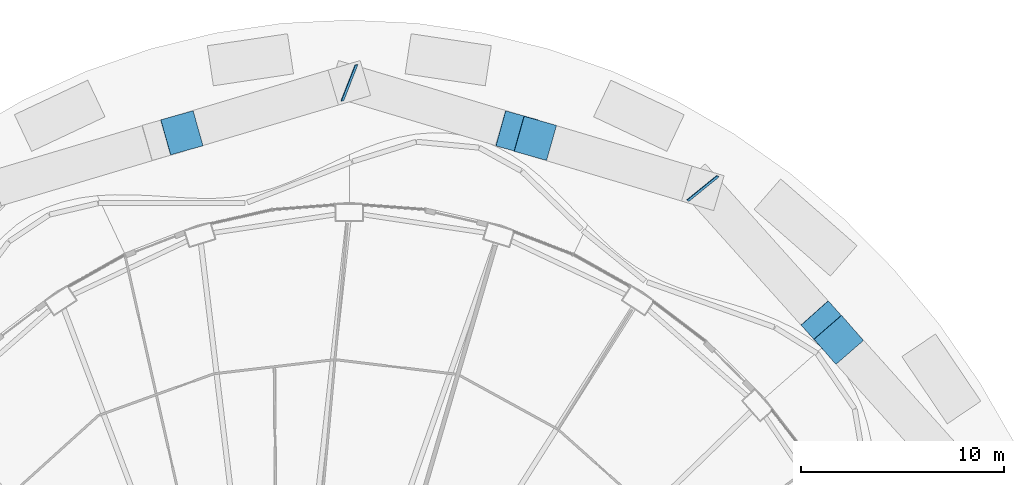
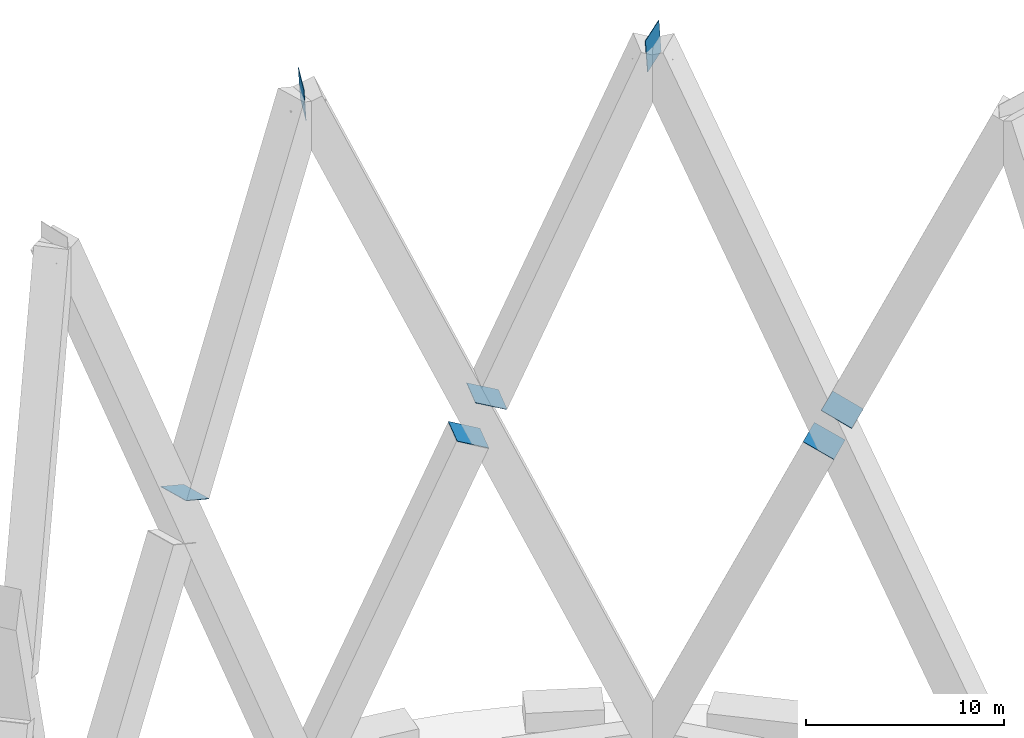
# One storey, part 41 of 42: 7 discrete accessories.
"""IFC4 building model written with IfcOpenShell, lengths in metres."""

from ifc_helpers import new_model, si_unit, direction, frame, origin, origin_2d, place, context, subcontext, project, spatial, rectangle, extrude, material, layer, layer_set, type_object, element, save


model = new_model("IFC4")

# Units and contexts
model_context = context("Model", 3, precision=1e-05, world=origin(), true_north=direction((0.0, 1.0)))
body_context = subcontext(model_context, "Body", "Model", "MODEL_VIEW")
ifc_project = project(units=[si_unit("LENGTHUNIT", "METRE"), si_unit("AREAUNIT", "SQUARE_METRE"), si_unit("VOLUMEUNIT", "CUBIC_METRE"), si_unit("PLANEANGLEUNIT", "RADIAN"), si_unit("MASSUNIT", "GRAM", prefix="KILO")], contexts=[model_context])

# Site, building, storey
site_placement = place(None, origin())
site = spatial("IfcSite", under=ifc_project, at=site_placement, CompositionType="ELEMENT")
building_placement = place(site_placement, origin())
building = spatial("IfcBuilding", under=site, at=building_placement, Name="Nagisa Residences", CompositionType="ELEMENT")
storey_placement = place(building_placement, frame((0.0, 0.0, 27.0)))
storey = spatial("IfcBuildingStorey", under=building, at=storey_placement, Name="L05", CompositionType="ELEMENT", Elevation=27.0)

# Discrete accessories
ifc_material = material(Name="Steel ASTM A572 Gr 50", Category="steel")
ifc_layer = layer(ifc_material, 0.030029296875)
ifc_layer_set = layer_set([ifc_layer], Name="Node plate")
discrete_accessory_type = type_object("IfcDiscreteAccessoryType", Name="Node plate", PredefinedType="ANCHORPLATE", material=ifc_layer_set)
discrete_accessory_1_placement = place(storey_placement, frame((21.059326171875, 33.6767578125, 42.600830078125), z_axis=(-0.628639506507, 0.775594196339, -0.057149046046), x_axis=(0.052935642604, -0.030640522811, -0.998127735365)))
element("IfcDiscreteAccessory", 1, at=discrete_accessory_1_placement, inside=storey, type_object=discrete_accessory_type, Name="Node plate CD1103", PredefinedType="ANCHORPLATE", context=body_context, shape_type="SweptSolid", body=[
    extrude(rectangle(XDim=1.919921875, YDim=1.919921875, at=origin_2d()), origin(), (0.0, 0.0, 1.0), 0.02978515625),
])
discrete_accessory_2_placement = place(storey_placement, frame((27.11328125, 26.93017578125, 20.2197265625), z_axis=(0.269425910577, -0.302083596708, 0.914415211657), x_axis=(0.746295434469, 0.665614846958, 0.0)))
element("IfcDiscreteAccessory", 2, at=discrete_accessory_2_placement, inside=storey, type_object=discrete_accessory_type, Name="Node plate CD1104A", PredefinedType="ANCHORPLATE", context=body_context, shape_type="SweptSolid", body=[
    extrude(rectangle(XDim=1.800048828125, YDim=1.800048828125, at=origin_2d()), origin(), (0.0, 0.0, 1.0), 0.02978515625),
])
discrete_accessory_3_placement = place(storey_placement, frame((27.760986328125, 26.2080078125, 22.38037109375), z_axis=(-0.268754950318, 0.309475397336, -0.9121380132), x_axis=(-0.755033118393, -0.655686655446, 0.0)))
element("IfcDiscreteAccessory", 3, at=discrete_accessory_3_placement, inside=storey, type_object=discrete_accessory_type, Name="Node plate CD1104B", PredefinedType="ANCHORPLATE", context=body_context, shape_type="SweptSolid", body=[
    extrude(rectangle(XDim=1.800048828125, YDim=1.800048828125, at=origin_2d()), origin(), (0.0, 0.0, 1.0), 0.030029296875),
])
discrete_accessory_4_placement = place(storey_placement, frame((3.614013671875, 38.89453125, 42.600830078125), z_axis=(-0.928641793494, 0.366569129011, -0.057021864513), x_axis=(0.066841754048, 0.014140361452, -0.997663385162)))
element("IfcDiscreteAccessory", 4, at=discrete_accessory_4_placement, inside=storey, type_object=discrete_accessory_type, Name="Node plate CD1105", PredefinedType="ANCHORPLATE", context=body_context, shape_type="SweptSolid", body=[
    extrude(rectangle(XDim=1.919921875, YDim=1.919921875, at=origin_2d()), origin(), (0.0, 0.0, 1.0), 0.030029296875),
])
for number, where, z_axis, x_axis, name in (
    (5, (11.863525390625, 36.431884765625, 20.173583984375), (0.381886710378, -0.105628239041, 0.918153154737), (0.266586054538, 0.963811120254, 0.0), "Node plate CD1106A"),
    (6, (12.786376953125, 36.156494140625, 22.42626953125), (-0.374914187959, 0.10595400964, -0.920984853029), (-0.271957005226, -0.962309403107, 0.0), "Node plate CD1106B"),
    (7, (-4.66357421875, 36.431884765625, 22.42626953125), (-0.374914187959, -0.10595400964, -0.920984853029), (0.271957005226, -0.962309403107, 0.0), "Node plate CD1108B"),
):
    element("IfcDiscreteAccessory", number, at=place(storey_placement, frame(where, z_axis=z_axis, x_axis=x_axis)), inside=storey, type_object=discrete_accessory_type, Name=name, PredefinedType="ANCHORPLATE", context=body_context, shape_type="SweptSolid", body=[
        extrude(rectangle(XDim=1.800048828125, YDim=1.800048828125, at=origin_2d()), origin(), (0.0, 0.0, 1.0), 0.030029296875),
    ])

save(model, "model.ifc")
